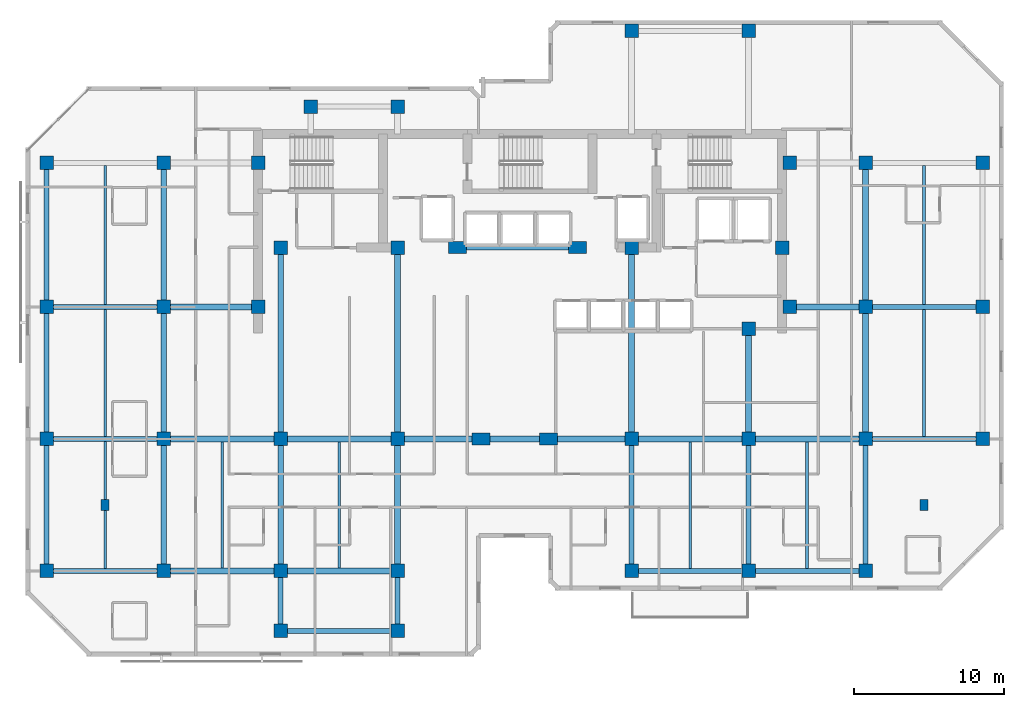
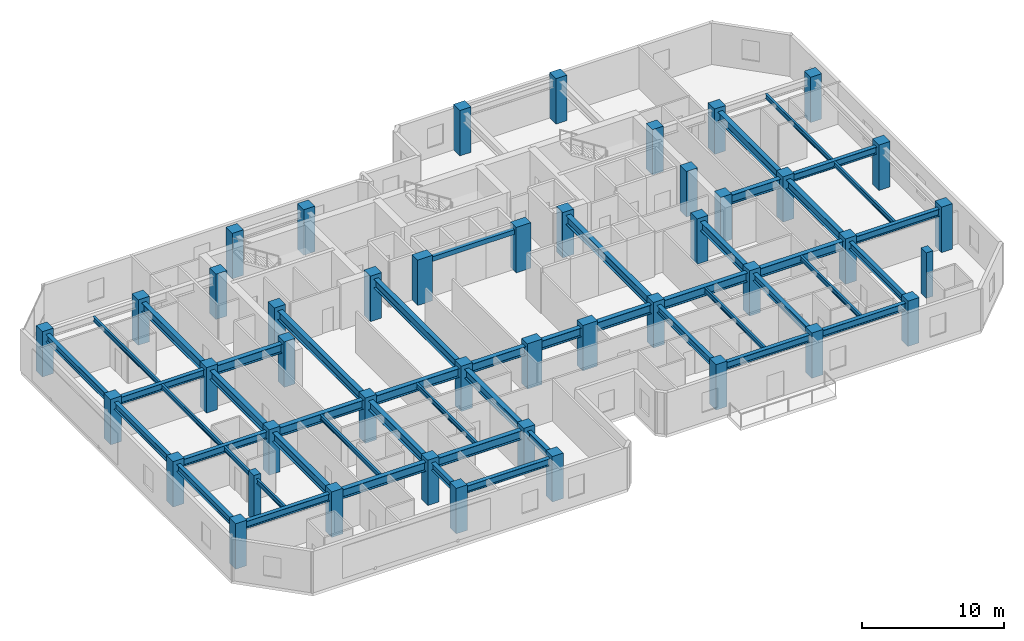
# One storey, part 1 of 11: 48 beams, 44 columns.
"""IFC4 building model written with IfcOpenShell, lengths in metres."""

from ifc_helpers import new_model, si_unit, direction, frame, origin, origin_2d, place, context, subcontext, project, spatial, rectangle, i_section, extrude, material, material_profile, profile_set, type_object, element, save


model = new_model("IFC4")

# Units and contexts
model_context = context("Model", 3, precision=1e-05, world=origin(), true_north=direction((0.0, 1.0)))
body_context = subcontext(model_context, "Body", "Model", "MODEL_VIEW")
ifc_project = project(units=[si_unit("LENGTHUNIT", "METRE"), si_unit("AREAUNIT", "SQUARE_METRE"), si_unit("VOLUMEUNIT", "CUBIC_METRE"), si_unit("PLANEANGLEUNIT", "RADIAN"), si_unit("MASSUNIT", "GRAM", prefix="KILO")], contexts=[model_context])

# Site, building, storey
site_placement = place(None, origin())
site = spatial("IfcSite", under=ifc_project, at=site_placement, CompositionType="ELEMENT")
building_placement = place(site_placement, origin())
building = spatial("IfcBuilding", under=site, at=building_placement, Name="Kestravale Grand Hotel", CompositionType="ELEMENT")
storey_placement = place(building_placement, frame((0.0, 0.0, 228.0)))
storey = spatial("IfcBuildingStorey", under=building, at=storey_placement, Name="L57", CompositionType="ELEMENT", Elevation=228.0)

# Columns
ifc_material_1 = material(Name="Concrete f'c 60 MPa", Category="concrete")
ifc_material_profile_1 = material_profile(ifc_material_1, rectangle(XDim=1.199951171875, YDim=0.800048828125, at=origin_2d()))
ifc_profile_set_1 = profile_set([ifc_material_profile_1], Name="Concrete f'c 60 MPa")
column_type_1 = type_object("IfcColumnType", Name="C-Z3-1200X800", PredefinedType="COLUMN", material=ifc_profile_set_1)
for number, where, z_axis, x_axis, name in (
    (1, (36.75, 20.0, 0.0), (0.0, 0.0, 1.0), (1.0, 0.0, 0.0), "L57 column 6-D"),
    (2, (41.25, 20.0, 0.0), (0.0, 0.0, 1.0), (1.0, 0.0, 0.0), "L57 column 7-D"),
    (3, (35.199951171875, 32.75, 0.0), (0.0, 0.0, 1.0), (1.0, 0.0, 0.0), "L57 column 6C-CS"),
    (4, (43.199951171875, 32.75, 0.0), (0.0, 0.0, 1.0), (1.0, 0.0, 0.0), "L57 column 7C-CS"),
):
    element("IfcColumn", number, at=place(storey_placement, frame(where, z_axis=z_axis, x_axis=x_axis)), inside=storey, type_object=column_type_1, Name=name, PredefinedType="COLUMN", context=body_context, shape_type="SweptSolid", body=[
        extrude(rectangle(XDim=1.199951171875, YDim=0.800048828125, at=origin_2d()), origin(), (0.0, 0.0, 1.0), 3.89990234375),
    ])
ifc_material_2 = material(Name="Precast concrete f'c 45 MPa", Category="concrete")
ifc_material_profile_2 = material_profile(ifc_material_2, rectangle(XDim=0.550048828125, YDim=0.75, at=origin_2d()))
ifc_profile_set_2 = profile_set([ifc_material_profile_2], Name="Precast concrete f'c 45 MPa")
column_type_2 = type_object("IfcColumnType", Name="C-Z3-PIL750", PredefinedType="PILASTER", material=ifc_profile_set_2)
for number, where, z_axis, x_axis, name in (
    (5, (11.699951171875, 15.60009765625, 0.0), (0.0, 0.0, 1.0), (1.0, 0.0, 0.0), "L57 Art Deco fluted pilaster P1"),
    (6, (66.300048828125, 15.60009765625, 0.0), (0.0, 0.0, 1.0), (1.0, 0.0, 0.0), "L57 Art Deco fluted pilaster P2"),
):
    element("IfcColumn", number, at=place(storey_placement, frame(where, z_axis=z_axis, x_axis=x_axis)), inside=storey, type_object=column_type_2, Name=name, PredefinedType="PILASTER", context=body_context, shape_type="SweptSolid", body=[
        extrude(rectangle(XDim=0.550048828125, YDim=0.75, at=origin_2d()), origin(), (0.0, 0.0, 1.0), 3.89990234375),
    ])
ifc_material_3 = material(Name="Concrete f'c 50 MPa", Category="concrete")
ifc_material_profile_3 = material_profile(ifc_material_3, rectangle(XDim=0.89990234375, YDim=0.89990234375, at=origin_2d()))
ifc_profile_set_3 = profile_set([ifc_material_profile_3], Name="Concrete f'c 50 MPa")
column_type_3 = type_object("IfcColumnType", Name="C-Z4-900", PredefinedType="COLUMN", material=ifc_profile_set_3)
for number, where, z_axis, x_axis, name in (
    (7, (7.800048828125, 11.199951171875, 0.0), (0.0, 0.0, 1.0), (1.0, 0.0, 0.0), "L57 column 2-C"),
    (8, (7.800048828125, 20.0, 0.0), (0.0, 0.0, 1.0), (1.0, 0.0, 0.0), "L57 column 2-D"),
    (9, (7.800048828125, 28.800048828125, 0.0), (0.0, 0.0, 1.0), (1.0, 0.0, 0.0), "L57 column 2-E"),
    (10, (7.800048828125, 38.39990234375, 0.0), (0.0, 0.0, 1.0), (1.0, 0.0, 0.0), "L57 column 2-F"),
    (11, (15.60009765625, 11.199951171875, 0.0), (0.0, 0.0, 1.0), (1.0, 0.0, 0.0), "L57 column 3-C"),
    (12, (15.60009765625, 20.0, 0.0), (0.0, 0.0, 1.0), (1.0, 0.0, 0.0), "L57 column 3-D"),
    (13, (15.60009765625, 28.800048828125, 0.0), (0.0, 0.0, 1.0), (1.0, 0.0, 0.0), "L57 column 3-E"),
    (14, (15.60009765625, 38.39990234375, 0.0), (0.0, 0.0, 1.0), (1.0, 0.0, 0.0), "L57 column 3-F"),
    (15, (23.39990234375, 11.199951171875, 0.0), (0.0, 0.0, 1.0), (1.0, 0.0, 0.0), "L57 column 4-C"),
    (16, (23.39990234375, 20.0, 0.0), (0.0, 0.0, 1.0), (1.0, 0.0, 0.0), "L57 column 4-D"),
    (17, (31.199951171875, 11.199951171875, 0.0), (0.0, 0.0, 1.0), (1.0, 0.0, 0.0), "L57 column 5-C"),
    (18, (31.199951171875, 20.0, 0.0), (0.0, 0.0, 1.0), (1.0, 0.0, 0.0), "L57 column 5-D"),
    (19, (46.800048828125, 11.199951171875, 0.0), (0.0, 0.0, 1.0), (1.0, 0.0, 0.0), "L57 column 8-C"),
    (20, (46.800048828125, 20.0, 0.0), (0.0, 0.0, 1.0), (1.0, 0.0, 0.0), "L57 column 8-D"),
    (21, (46.800048828125, 47.199951171875, 0.0), (0.0, 0.0, 1.0), (1.0, 0.0, 0.0), "L57 column 8-G"),
    (22, (54.60009765625, 11.199951171875, 0.0), (0.0, 0.0, 1.0), (1.0, 0.0, 0.0), "L57 column 9-C"),
    (23, (54.60009765625, 20.0, 0.0), (0.0, 0.0, 1.0), (1.0, 0.0, 0.0), "L57 column 9-D"),
    (24, (54.60009765625, 47.199951171875, 0.0), (0.0, 0.0, 1.0), (1.0, 0.0, 0.0), "L57 column 9-G"),
    (25, (62.39990234375, 11.199951171875, 0.0), (0.0, 0.0, 1.0), (1.0, 0.0, 0.0), "L57 column 10-C"),
    (26, (62.39990234375, 20.0, 0.0), (0.0, 0.0, 1.0), (1.0, 0.0, 0.0), "L57 column 10-D"),
    (27, (62.39990234375, 28.800048828125, 0.0), (0.0, 0.0, 1.0), (1.0, 0.0, 0.0), "L57 column 10-E"),
    (28, (62.39990234375, 38.39990234375, 0.0), (0.0, 0.0, 1.0), (1.0, 0.0, 0.0), "L57 column 10-F"),
    (29, (70.199951171875, 20.0, 0.0), (0.0, 0.0, 1.0), (1.0, 0.0, 0.0), "L57 column 11-D"),
    (30, (70.199951171875, 28.800048828125, 0.0), (0.0, 0.0, 1.0), (1.0, 0.0, 0.0), "L57 column 11-E"),
    (31, (70.199951171875, 38.39990234375, 0.0), (0.0, 0.0, 1.0), (1.0, 0.0, 0.0), "L57 column 11-F"),
    (32, (21.89990234375, 28.800048828125, 0.0), (0.0, 0.0, 1.0), (1.0, 0.0, 0.0), "L57 column CW-E"),
    (33, (21.89990234375, 38.39990234375, 0.0), (0.0, 0.0, 1.0), (1.0, 0.0, 0.0), "L57 column CW-F"),
    (34, (57.35009765625, 28.800048828125, 0.0), (0.0, 0.0, 1.0), (1.0, 0.0, 0.0), "L57 column CE-E"),
    (35, (57.35009765625, 38.39990234375, 0.0), (0.0, 0.0, 1.0), (1.0, 0.0, 0.0), "L57 column CE-F"),
    (36, (23.39990234375, 32.75, 0.0), (0.0, 0.0, 1.0), (1.0, 0.0, 0.0), "L57 column 4-CS"),
    (37, (31.199951171875, 32.75, 0.0), (0.0, 0.0, 1.0), (1.0, 0.0, 0.0), "L57 column 5-CS"),
    (38, (46.800048828125, 32.75, 0.0), (0.0, 0.0, 1.0), (1.0, 0.0, 0.0), "L57 column 8-CS"),
    (39, (54.60009765625, 27.35009765625, 0.0), (0.0, 0.0, 1.0), (1.0, 0.0, 0.0), "L57 column 9-CS"),
    (40, (56.85009765625, 32.75, 0.0), (0.0, 0.0, 1.0), (1.0, 0.0, 0.0), "L57 column 9C-CS"),
    (41, (23.39990234375, 7.199951171875, 0.0), (0.0, 0.0, 1.0), (1.0, 0.0, 0.0), "L57 column 4-BS"),
    (42, (31.199951171875, 7.199951171875, 0.0), (0.0, 0.0, 1.0), (1.0, 0.0, 0.0), "L57 column 5-BS"),
    (43, (25.39990234375, 42.14990234375, 0.0), (0.0, 0.0, 1.0), (1.0, 0.0, 0.0), "L57 column 4-FN"),
    (44, (31.199951171875, 42.14990234375, 0.0), (0.0, 0.0, 1.0), (1.0, 0.0, 0.0), "L57 column 5-FN"),
):
    element("IfcColumn", number, at=place(storey_placement, frame(where, z_axis=z_axis, x_axis=x_axis)), inside=storey, type_object=column_type_3, Name=name, PredefinedType="COLUMN", context=body_context, shape_type="SweptSolid", body=[
        extrude(rectangle(XDim=0.89990234375, YDim=0.89990234375, at=origin_2d()), origin(), (0.0, 0.0, 1.0), 3.89990234375),
    ])

# Beams
ifc_material_4 = material(Name="Steel ASTM A992 Grade 50", Category="steel")
ifc_material_profile_4 = material_profile(ifc_material_4, i_section(OverallWidth=0.177978515625, OverallDepth=0.404052734375, WebThickness=0.007568359375, FlangeThickness=0.010986328125, FilletRadius=0.01416015625, at=origin_2d()))
ifc_profile_set_4 = profile_set([ifc_material_profile_4], Name="Steel ASTM A992 Grade 50")
beam_type_1 = type_object("IfcBeamType", Name="B-FLR-JST16", PredefinedType="JOIST", material=ifc_profile_set_4)
for number, where, z_axis, x_axis, name in (
    (45, (11.699951171875, 11.362548828125, 3.35791015625), (0.0, 1.0, 0.0), (-1.0, 0.0, 0.0), "L57 floor joist 2-3/C-D #1"),
    (46, (11.699951171875, 20.16259765625, 3.35791015625), (0.0, 1.0, 0.0), (-1.0, 0.0, 0.0), "L57 floor joist 2-3/D-E #1"),
):
    element("IfcBeam", number, at=place(storey_placement, frame(where, z_axis=z_axis, x_axis=x_axis)), inside=storey, type_object=beam_type_1, Name=name, PredefinedType="JOIST", context=body_context, shape_type="SweptSolid", body=[
        extrude(i_section(OverallWidth=0.177978515625, OverallDepth=0.404052734375, WebThickness=0.007568359375, FlangeThickness=0.010986328125, FilletRadius=0.01416015625, at=origin_2d()), origin(), (0.0, 0.0, 1.0), 8.474853515625),
    ])
beam_1_placement = place(storey_placement, frame((11.699951171875, 28.96240234375, 3.35791015625), z_axis=(0.0, 1.0, 0.0), x_axis=(-1.0, 0.0, 0.0)))
element("IfcBeam", 47, at=beam_1_placement, inside=storey, type_object=beam_type_1, Name="L57 floor joist 2-3/E-F #1", PredefinedType="JOIST", context=body_context, shape_type="SweptSolid", body=[
    extrude(i_section(OverallWidth=0.177978515625, OverallDepth=0.404052734375, WebThickness=0.007568359375, FlangeThickness=0.010986328125, FilletRadius=0.01416015625, at=origin_2d()), origin(), (0.0, 0.0, 1.0), 9.275146484375),
])
for number, where, z_axis, x_axis, name in (
    (48, (19.5, 11.390380859375, 3.35791015625), (0.0, 1.0, 0.0), (-1.0, 0.0, 0.0), "L57 floor joist 3-4/C-D #1"),
    (49, (27.300048828125, 11.390380859375, 3.35791015625), (0.0, 1.0, 0.0), (-1.0, 0.0, 0.0), "L57 floor joist 4-5/C-D #1"),
):
    element("IfcBeam", number, at=place(storey_placement, frame(where, z_axis=z_axis, x_axis=x_axis)), inside=storey, type_object=beam_type_1, Name=name, PredefinedType="JOIST", context=body_context, shape_type="SweptSolid", body=[
        extrude(i_section(OverallWidth=0.177978515625, OverallDepth=0.404052734375, WebThickness=0.007568359375, FlangeThickness=0.010986328125, FilletRadius=0.01416015625, at=origin_2d()), origin(), (0.0, 0.0, 1.0), 8.419189453125),
    ])
for number, where, z_axis, x_axis, name in (
    (50, (50.699951171875, 11.362548828125, 3.35791015625), (0.0, 1.0, 0.0), (-1.0, 0.0, 0.0), "L57 floor joist 8-9/C-D #1"),
    (51, (58.5, 11.362548828125, 3.35791015625), (0.0, 1.0, 0.0), (-1.0, 0.0, 0.0), "L57 floor joist 9-10/C-D #1"),
):
    element("IfcBeam", number, at=place(storey_placement, frame(where, z_axis=z_axis, x_axis=x_axis)), inside=storey, type_object=beam_type_1, Name=name, PredefinedType="JOIST", context=body_context, shape_type="SweptSolid", body=[
        extrude(i_section(OverallWidth=0.177978515625, OverallDepth=0.404052734375, WebThickness=0.007568359375, FlangeThickness=0.010986328125, FilletRadius=0.01416015625, at=origin_2d()), origin(), (0.0, 0.0, 1.0), 8.447021484375),
    ])
beam_2_placement = place(storey_placement, frame((66.300048828125, 20.16259765625, 3.35791015625), z_axis=(0.0, 1.0, 0.0), x_axis=(-1.0, 0.0, 0.0)))
element("IfcBeam", 52, at=beam_2_placement, inside=storey, type_object=beam_type_1, Name="L57 floor joist 10-11/D-E #1", PredefinedType="JOIST", context=body_context, shape_type="SweptSolid", body=[
    extrude(i_section(OverallWidth=0.177978515625, OverallDepth=0.404052734375, WebThickness=0.007568359375, FlangeThickness=0.010986328125, FilletRadius=0.01416015625, at=origin_2d()), origin(), (0.0, 0.0, 1.0), 8.474853515625),
])
beam_3_placement = place(storey_placement, frame((66.300048828125, 28.96240234375, 3.35791015625), z_axis=(0.0, 1.0, 0.0), x_axis=(-1.0, 0.0, 0.0)))
element("IfcBeam", 53, at=beam_3_placement, inside=storey, type_object=beam_type_1, Name="L57 floor joist 10-11/E-F #1", PredefinedType="JOIST", context=body_context, shape_type="SweptSolid", body=[
    extrude(i_section(OverallWidth=0.177978515625, OverallDepth=0.404052734375, WebThickness=0.007568359375, FlangeThickness=0.010986328125, FilletRadius=0.01416015625, at=origin_2d()), origin(), (0.0, 0.0, 1.0), 9.275146484375),
])
ifc_material_5 = material(Name="Concrete f'c 45 MPa", Category="concrete")
ifc_material_profile_5 = material_profile(ifc_material_5, rectangle(XDim=0.300048828125, YDim=0.39990234375, at=origin_2d()))
ifc_profile_set_5 = profile_set([ifc_material_profile_5], Name="Concrete f'c 45 MPa")
beam_type_2 = type_object("IfcBeamType", Name="B-FLR-LNT400", PredefinedType="LINTEL", material=ifc_profile_set_5)
beam_4_placement = place(storey_placement, frame((35.199951171875, 32.75, 3.360107421875), z_axis=(1.0, 0.0, 0.0), x_axis=(0.0, 1.0, 0.0)))
element("IfcBeam", 54, at=beam_4_placement, inside=storey, type_object=beam_type_2, Name="L57 core portal header lintel", PredefinedType="LINTEL", context=body_context, shape_type="SweptSolid", body=[
    extrude(rectangle(XDim=0.300048828125, YDim=0.39990234375, at=origin_2d()), origin(), (0.0, 0.0, 1.0), 8.0),
])
ifc_material_6 = material(Name="Steel ASTM A992 Grade 50", Category="steel")
ifc_material_profile_6 = material_profile(ifc_material_6, i_section(OverallWidth=0.324951171875, OverallDepth=0.612060546875, WebThickness=0.0126953125, FlangeThickness=0.01904296875, FilletRadius=0.018798828125, at=origin_2d()))
ifc_profile_set_6 = profile_set([ifc_material_profile_6], Name="Steel ASTM A992 Grade 50")
beam_type_3 = type_object("IfcBeamType", Name="B-FLR-W24A", PredefinedType="SPANDREL", material=ifc_profile_set_6)
for number, where, z_axis, x_axis, name in (
    (55, (7.800048828125, 11.199951171875, 3.25390625), (1.0, 0.0, 0.0), (0.0, 1.0, 0.0), "L57 spandrel C:2-3"),
    (56, (46.800048828125, 11.199951171875, 3.25390625), (1.0, 0.0, 0.0), (0.0, 1.0, 0.0), "L57 spandrel C:8-9"),
):
    element("IfcBeam", number, at=place(storey_placement, frame(where, z_axis=z_axis, x_axis=x_axis)), inside=storey, type_object=beam_type_3, Name=name, PredefinedType="SPANDREL", context=body_context, shape_type="SweptSolid", body=[
        extrude(i_section(OverallWidth=0.324951171875, OverallDepth=0.612060546875, WebThickness=0.0126953125, FlangeThickness=0.01904296875, FilletRadius=0.018798828125, at=origin_2d()), origin(), (0.0, 0.0, 1.0), 7.800048828125),
    ])
beam_5_placement = place(storey_placement, frame((54.60009765625, 11.199951171875, 3.25390625), z_axis=(1.0, 0.0, 0.0), x_axis=(0.0, 1.0, 0.0)))
element("IfcBeam", 57, at=beam_5_placement, inside=storey, type_object=beam_type_3, Name="L57 spandrel C:9-10", PredefinedType="SPANDREL", context=body_context, shape_type="SweptSolid", body=[
    extrude(i_section(OverallWidth=0.324951171875, OverallDepth=0.612060546875, WebThickness=0.0126953125, FlangeThickness=0.01904296875, FilletRadius=0.018798828125, at=origin_2d()), origin(), (0.0, 0.0, 1.0), 7.7998046875),
])
for number, where, z_axis, x_axis, name in (
    (58, (7.800048828125, 20.0, 3.25390625), (1.0, 0.0, 0.0), (0.0, 1.0, 0.0), "L57 spandrel D:2-3"),
    (59, (62.39990234375, 20.0, 3.25390625), (1.0, 0.0, 0.0), (0.0, 1.0, 0.0), "L57 spandrel D:10-11"),
    (60, (7.800048828125, 28.800048828125, 3.25390625), (1.0, 0.0, 0.0), (0.0, 1.0, 0.0), "L57 spandrel E:2-3"),
    (61, (62.39990234375, 28.800048828125, 3.25390625), (1.0, 0.0, 0.0), (0.0, 1.0, 0.0), "L57 spandrel E:10-11"),
    (62, (23.39990234375, 7.199951171875, 3.25390625), (1.0, 0.0, 0.0), (0.0, 1.0, 0.0), "L57 perimeter tie spandrel BS:4-5"),
):
    element("IfcBeam", number, at=place(storey_placement, frame(where, z_axis=z_axis, x_axis=x_axis)), inside=storey, type_object=beam_type_3, Name=name, PredefinedType="SPANDREL", context=body_context, shape_type="SweptSolid", body=[
        extrude(i_section(OverallWidth=0.324951171875, OverallDepth=0.612060546875, WebThickness=0.0126953125, FlangeThickness=0.01904296875, FilletRadius=0.018798828125, at=origin_2d()), origin(), (0.0, 0.0, 1.0), 7.800048828125),
    ])
for number, where, z_axis, x_axis, name in (
    (63, (7.800048828125, 11.199951171875, 3.25390625), (0.0, 1.0, 0.0), (-1.0, 0.0, 0.0), "L57 spandrel 2:C-D"),
    (64, (7.800048828125, 20.0, 3.25390625), (0.0, 1.0, 0.0), (-1.0, 0.0, 0.0), "L57 spandrel 2:D-E"),
):
    element("IfcBeam", number, at=place(storey_placement, frame(where, z_axis=z_axis, x_axis=x_axis)), inside=storey, type_object=beam_type_3, Name=name, PredefinedType="SPANDREL", context=body_context, shape_type="SweptSolid", body=[
        extrude(i_section(OverallWidth=0.324951171875, OverallDepth=0.612060546875, WebThickness=0.0126953125, FlangeThickness=0.01904296875, FilletRadius=0.018798828125, at=origin_2d()), origin(), (0.0, 0.0, 1.0), 8.800048828125),
    ])
beam_6_placement = place(storey_placement, frame((7.800048828125, 28.800048828125, 3.25390625), z_axis=(0.0, 1.0, 0.0), x_axis=(-1.0, 0.0, 0.0)))
element("IfcBeam", 65, at=beam_6_placement, inside=storey, type_object=beam_type_3, Name="L57 spandrel 2:E-F", PredefinedType="SPANDREL", context=body_context, shape_type="SweptSolid", body=[
    extrude(i_section(OverallWidth=0.324951171875, OverallDepth=0.612060546875, WebThickness=0.0126953125, FlangeThickness=0.01904296875, FilletRadius=0.018798828125, at=origin_2d()), origin(), (0.0, 0.0, 1.0), 9.599853515625),
])
for number, where, z_axis, x_axis, name in (
    (66, (23.39990234375, 7.199951171875, 3.25390625), (0.0, 1.0, 0.0), (-1.0, 0.0, 0.0), "L57 spandrel 4:BS-C"),
    (67, (31.199951171875, 7.199951171875, 3.25390625), (0.0, 1.0, 0.0), (-1.0, 0.0, 0.0), "L57 spandrel 5:BS-C"),
):
    element("IfcBeam", number, at=place(storey_placement, frame(where, z_axis=z_axis, x_axis=x_axis)), inside=storey, type_object=beam_type_3, Name=name, PredefinedType="SPANDREL", context=body_context, shape_type="SweptSolid", body=[
        extrude(i_section(OverallWidth=0.324951171875, OverallDepth=0.612060546875, WebThickness=0.0126953125, FlangeThickness=0.01904296875, FilletRadius=0.018798828125, at=origin_2d()), origin(), (0.0, 0.0, 1.0), 4.0),
    ])
for number, where, z_axis, x_axis, name in (
    (68, (46.800048828125, 11.199951171875, 3.25390625), (0.0, 1.0, 0.0), (-1.0, 0.0, 0.0), "L57 spandrel 8:C-D"),
    (69, (54.60009765625, 11.199951171875, 3.25390625), (0.0, 1.0, 0.0), (-1.0, 0.0, 0.0), "L57 spandrel 9:C-D"),
    (70, (62.39990234375, 11.199951171875, 3.25390625), (0.0, 1.0, 0.0), (-1.0, 0.0, 0.0), "L57 spandrel 10:C-D"),
):
    element("IfcBeam", number, at=place(storey_placement, frame(where, z_axis=z_axis, x_axis=x_axis)), inside=storey, type_object=beam_type_3, Name=name, PredefinedType="SPANDREL", context=body_context, shape_type="SweptSolid", body=[
        extrude(i_section(OverallWidth=0.324951171875, OverallDepth=0.612060546875, WebThickness=0.0126953125, FlangeThickness=0.01904296875, FilletRadius=0.018798828125, at=origin_2d()), origin(), (0.0, 0.0, 1.0), 8.800048828125),
    ])
ifc_material_7 = material(Name="Steel ASTM A992 Grade 50", Category="steel")
ifc_material_profile_7 = material_profile(ifc_material_7, i_section(OverallWidth=0.381103515625, OverallDepth=0.77197265625, WebThickness=0.0166015625, FlangeThickness=0.027099609375, FilletRadius=0.023681640625, at=origin_2d()))
ifc_profile_set_7 = profile_set([ifc_material_profile_7], Name="Steel ASTM A992 Grade 50")
beam_type_4 = type_object("IfcBeamType", Name="B-GRD-W30", PredefinedType="BEAM", material=ifc_profile_set_7)
beam_7_placement = place(storey_placement, frame((15.60009765625, 11.199951171875, 3.174072265625), z_axis=(1.0, 0.0, 0.0), x_axis=(0.0, 1.0, 0.0)))
element("IfcBeam", 71, at=beam_7_placement, inside=storey, type_object=beam_type_4, Name="L57 girder C:3-4", PredefinedType="BEAM", context=body_context, shape_type="SweptSolid", body=[
    extrude(i_section(OverallWidth=0.381103515625, OverallDepth=0.77197265625, WebThickness=0.0166015625, FlangeThickness=0.027099609375, FilletRadius=0.023681640625, at=origin_2d()), origin(), (0.0, 0.0, 1.0), 7.7998046875),
])
beam_8_placement = place(storey_placement, frame((23.39990234375, 11.199951171875, 3.174072265625), z_axis=(1.0, 0.0, 0.0), x_axis=(0.0, 1.0, 0.0)))
element("IfcBeam", 72, at=beam_8_placement, inside=storey, type_object=beam_type_4, Name="L57 girder C:4-5", PredefinedType="BEAM", context=body_context, shape_type="SweptSolid", body=[
    extrude(i_section(OverallWidth=0.381103515625, OverallDepth=0.77197265625, WebThickness=0.0166015625, FlangeThickness=0.027099609375, FilletRadius=0.023681640625, at=origin_2d()), origin(), (0.0, 0.0, 1.0), 7.800048828125),
])
beam_9_placement = place(storey_placement, frame((15.60009765625, 20.0, 3.174072265625), z_axis=(1.0, 0.0, 0.0), x_axis=(0.0, 1.0, 0.0)))
element("IfcBeam", 73, at=beam_9_placement, inside=storey, type_object=beam_type_4, Name="L57 girder D:3-4", PredefinedType="BEAM", context=body_context, shape_type="SweptSolid", body=[
    extrude(i_section(OverallWidth=0.381103515625, OverallDepth=0.77197265625, WebThickness=0.0166015625, FlangeThickness=0.027099609375, FilletRadius=0.023681640625, at=origin_2d()), origin(), (0.0, 0.0, 1.0), 7.7998046875),
])
beam_10_placement = place(storey_placement, frame((23.39990234375, 20.0, 3.174072265625), z_axis=(1.0, 0.0, 0.0), x_axis=(0.0, 1.0, 0.0)))
element("IfcBeam", 74, at=beam_10_placement, inside=storey, type_object=beam_type_4, Name="L57 girder D:4-5", PredefinedType="BEAM", context=body_context, shape_type="SweptSolid", body=[
    extrude(i_section(OverallWidth=0.381103515625, OverallDepth=0.77197265625, WebThickness=0.0166015625, FlangeThickness=0.027099609375, FilletRadius=0.023681640625, at=origin_2d()), origin(), (0.0, 0.0, 1.0), 7.800048828125),
])
beam_11_placement = place(storey_placement, frame((31.199951171875, 20.0, 3.174072265625), z_axis=(1.0, 0.0, 0.0), x_axis=(0.0, 1.0, 0.0)))
element("IfcBeam", 75, at=beam_11_placement, inside=storey, type_object=beam_type_4, Name="L57 girder D:5-6", PredefinedType="BEAM", context=body_context, shape_type="SweptSolid", body=[
    extrude(i_section(OverallWidth=0.381103515625, OverallDepth=0.77197265625, WebThickness=0.0166015625, FlangeThickness=0.027099609375, FilletRadius=0.023681640625, at=origin_2d()), origin(), (0.0, 0.0, 1.0), 5.550048828125),
])
beam_12_placement = place(storey_placement, frame((36.75, 20.0, 3.174072265625), z_axis=(1.0, 0.0, 0.0), x_axis=(0.0, 1.0, 0.0)))
element("IfcBeam", 76, at=beam_12_placement, inside=storey, type_object=beam_type_4, Name="L57 girder D:6-7", PredefinedType="BEAM", context=body_context, shape_type="SweptSolid", body=[
    extrude(i_section(OverallWidth=0.381103515625, OverallDepth=0.77197265625, WebThickness=0.0166015625, FlangeThickness=0.027099609375, FilletRadius=0.023681640625, at=origin_2d()), origin(), (0.0, 0.0, 1.0), 4.5),
])
beam_13_placement = place(storey_placement, frame((41.25, 20.0, 3.174072265625), z_axis=(1.0, 0.0, 0.0), x_axis=(0.0, 1.0, 0.0)))
element("IfcBeam", 77, at=beam_13_placement, inside=storey, type_object=beam_type_4, Name="L57 girder D:7-8", PredefinedType="BEAM", context=body_context, shape_type="SweptSolid", body=[
    extrude(i_section(OverallWidth=0.381103515625, OverallDepth=0.77197265625, WebThickness=0.0166015625, FlangeThickness=0.027099609375, FilletRadius=0.023681640625, at=origin_2d()), origin(), (0.0, 0.0, 1.0), 5.550048828125),
])
beam_14_placement = place(storey_placement, frame((46.800048828125, 20.0, 3.174072265625), z_axis=(1.0, 0.0, 0.0), x_axis=(0.0, 1.0, 0.0)))
element("IfcBeam", 78, at=beam_14_placement, inside=storey, type_object=beam_type_4, Name="L57 girder D:8-9", PredefinedType="BEAM", context=body_context, shape_type="SweptSolid", body=[
    extrude(i_section(OverallWidth=0.381103515625, OverallDepth=0.77197265625, WebThickness=0.0166015625, FlangeThickness=0.027099609375, FilletRadius=0.023681640625, at=origin_2d()), origin(), (0.0, 0.0, 1.0), 7.800048828125),
])
beam_15_placement = place(storey_placement, frame((54.60009765625, 20.0, 3.174072265625), z_axis=(1.0, 0.0, 0.0), x_axis=(0.0, 1.0, 0.0)))
element("IfcBeam", 79, at=beam_15_placement, inside=storey, type_object=beam_type_4, Name="L57 girder D:9-10", PredefinedType="BEAM", context=body_context, shape_type="SweptSolid", body=[
    extrude(i_section(OverallWidth=0.381103515625, OverallDepth=0.77197265625, WebThickness=0.0166015625, FlangeThickness=0.027099609375, FilletRadius=0.023681640625, at=origin_2d()), origin(), (0.0, 0.0, 1.0), 7.7998046875),
])
beam_16_placement = place(storey_placement, frame((15.60009765625, 28.800048828125, 3.174072265625), z_axis=(1.0, 0.0, 0.0), x_axis=(0.0, 1.0, 0.0)))
element("IfcBeam", 80, at=beam_16_placement, inside=storey, type_object=beam_type_4, Name="L57 girder E:3-CW", PredefinedType="BEAM", context=body_context, shape_type="SweptSolid", body=[
    extrude(i_section(OverallWidth=0.381103515625, OverallDepth=0.77197265625, WebThickness=0.0166015625, FlangeThickness=0.027099609375, FilletRadius=0.023681640625, at=origin_2d()), origin(), (0.0, 0.0, 1.0), 6.2998046875),
])
beam_17_placement = place(storey_placement, frame((57.35009765625, 28.800048828125, 3.174072265625), z_axis=(1.0, 0.0, 0.0), x_axis=(0.0, 1.0, 0.0)))
element("IfcBeam", 81, at=beam_17_placement, inside=storey, type_object=beam_type_4, Name="L57 girder E:CE-10", PredefinedType="BEAM", context=body_context, shape_type="SweptSolid", body=[
    extrude(i_section(OverallWidth=0.381103515625, OverallDepth=0.77197265625, WebThickness=0.0166015625, FlangeThickness=0.027099609375, FilletRadius=0.023681640625, at=origin_2d()), origin(), (0.0, 0.0, 1.0), 5.0498046875),
])
for number, where, z_axis, x_axis, name in (
    (82, (15.60009765625, 11.199951171875, 3.174072265625), (0.0, 1.0, 0.0), (-1.0, 0.0, 0.0), "L57 girder 3:C-D"),
    (83, (15.60009765625, 20.0, 3.174072265625), (0.0, 1.0, 0.0), (-1.0, 0.0, 0.0), "L57 girder 3:D-E"),
):
    element("IfcBeam", number, at=place(storey_placement, frame(where, z_axis=z_axis, x_axis=x_axis)), inside=storey, type_object=beam_type_4, Name=name, PredefinedType="BEAM", context=body_context, shape_type="SweptSolid", body=[
        extrude(i_section(OverallWidth=0.381103515625, OverallDepth=0.77197265625, WebThickness=0.0166015625, FlangeThickness=0.027099609375, FilletRadius=0.023681640625, at=origin_2d()), origin(), (0.0, 0.0, 1.0), 8.800048828125),
    ])
beam_18_placement = place(storey_placement, frame((15.60009765625, 28.800048828125, 3.174072265625), z_axis=(0.0, 1.0, 0.0), x_axis=(-1.0, 0.0, 0.0)))
element("IfcBeam", 84, at=beam_18_placement, inside=storey, type_object=beam_type_4, Name="L57 girder 3:E-F", PredefinedType="BEAM", context=body_context, shape_type="SweptSolid", body=[
    extrude(i_section(OverallWidth=0.381103515625, OverallDepth=0.77197265625, WebThickness=0.0166015625, FlangeThickness=0.027099609375, FilletRadius=0.023681640625, at=origin_2d()), origin(), (0.0, 0.0, 1.0), 9.599853515625),
])
beam_19_placement = place(storey_placement, frame((23.39990234375, 11.199951171875, 3.174072265625), z_axis=(0.0, 1.0, 0.0), x_axis=(-1.0, 0.0, 0.0)))
element("IfcBeam", 85, at=beam_19_placement, inside=storey, type_object=beam_type_4, Name="L57 girder 4:C-D", PredefinedType="BEAM", context=body_context, shape_type="SweptSolid", body=[
    extrude(i_section(OverallWidth=0.381103515625, OverallDepth=0.77197265625, WebThickness=0.0166015625, FlangeThickness=0.027099609375, FilletRadius=0.023681640625, at=origin_2d()), origin(), (0.0, 0.0, 1.0), 8.800048828125),
])
beam_20_placement = place(storey_placement, frame((23.39990234375, 20.0, 3.174072265625), z_axis=(0.0, 1.0, 0.0), x_axis=(-1.0, 0.0, 0.0)))
element("IfcBeam", 86, at=beam_20_placement, inside=storey, type_object=beam_type_4, Name="L57 girder 4:D-CS", PredefinedType="BEAM", context=body_context, shape_type="SweptSolid", body=[
    extrude(i_section(OverallWidth=0.381103515625, OverallDepth=0.77197265625, WebThickness=0.0166015625, FlangeThickness=0.027099609375, FilletRadius=0.023681640625, at=origin_2d()), origin(), (0.0, 0.0, 1.0), 12.75),
])
beam_21_placement = place(storey_placement, frame((31.199951171875, 11.199951171875, 3.174072265625), z_axis=(0.0, 1.0, 0.0), x_axis=(-1.0, 0.0, 0.0)))
element("IfcBeam", 87, at=beam_21_placement, inside=storey, type_object=beam_type_4, Name="L57 girder 5:C-D", PredefinedType="BEAM", context=body_context, shape_type="SweptSolid", body=[
    extrude(i_section(OverallWidth=0.381103515625, OverallDepth=0.77197265625, WebThickness=0.0166015625, FlangeThickness=0.027099609375, FilletRadius=0.023681640625, at=origin_2d()), origin(), (0.0, 0.0, 1.0), 8.800048828125),
])
for number, where, z_axis, x_axis, name in (
    (88, (31.199951171875, 20.0, 3.174072265625), (0.0, 1.0, 0.0), (-1.0, 0.0, 0.0), "L57 girder 5:D-CS"),
    (89, (46.800048828125, 20.0, 3.174072265625), (0.0, 1.0, 0.0), (-1.0, 0.0, 0.0), "L57 girder 8:D-CS"),
):
    element("IfcBeam", number, at=place(storey_placement, frame(where, z_axis=z_axis, x_axis=x_axis)), inside=storey, type_object=beam_type_4, Name=name, PredefinedType="BEAM", context=body_context, shape_type="SweptSolid", body=[
        extrude(i_section(OverallWidth=0.381103515625, OverallDepth=0.77197265625, WebThickness=0.0166015625, FlangeThickness=0.027099609375, FilletRadius=0.023681640625, at=origin_2d()), origin(), (0.0, 0.0, 1.0), 12.75),
    ])
beam_22_placement = place(storey_placement, frame((54.60009765625, 20.0, 3.174072265625), z_axis=(0.0, 1.0, 0.0), x_axis=(-1.0, 0.0, 0.0)))
element("IfcBeam", 90, at=beam_22_placement, inside=storey, type_object=beam_type_4, Name="L57 girder 9:D-CS", PredefinedType="BEAM", context=body_context, shape_type="SweptSolid", body=[
    extrude(i_section(OverallWidth=0.381103515625, OverallDepth=0.77197265625, WebThickness=0.0166015625, FlangeThickness=0.027099609375, FilletRadius=0.023681640625, at=origin_2d()), origin(), (0.0, 0.0, 1.0), 7.35009765625),
])
beam_23_placement = place(storey_placement, frame((62.39990234375, 20.0, 3.174072265625), z_axis=(0.0, 1.0, 0.0), x_axis=(-1.0, 0.0, 0.0)))
element("IfcBeam", 91, at=beam_23_placement, inside=storey, type_object=beam_type_4, Name="L57 girder 10:D-E", PredefinedType="BEAM", context=body_context, shape_type="SweptSolid", body=[
    extrude(i_section(OverallWidth=0.381103515625, OverallDepth=0.77197265625, WebThickness=0.0166015625, FlangeThickness=0.027099609375, FilletRadius=0.023681640625, at=origin_2d()), origin(), (0.0, 0.0, 1.0), 8.800048828125),
])
beam_24_placement = place(storey_placement, frame((62.39990234375, 28.800048828125, 3.174072265625), z_axis=(0.0, 1.0, 0.0), x_axis=(-1.0, 0.0, 0.0)))
element("IfcBeam", 92, at=beam_24_placement, inside=storey, type_object=beam_type_4, Name="L57 girder 10:E-F", PredefinedType="BEAM", context=body_context, shape_type="SweptSolid", body=[
    extrude(i_section(OverallWidth=0.381103515625, OverallDepth=0.77197265625, WebThickness=0.0166015625, FlangeThickness=0.027099609375, FilletRadius=0.023681640625, at=origin_2d()), origin(), (0.0, 0.0, 1.0), 9.599853515625),
])

save(model, "model.ifc")
